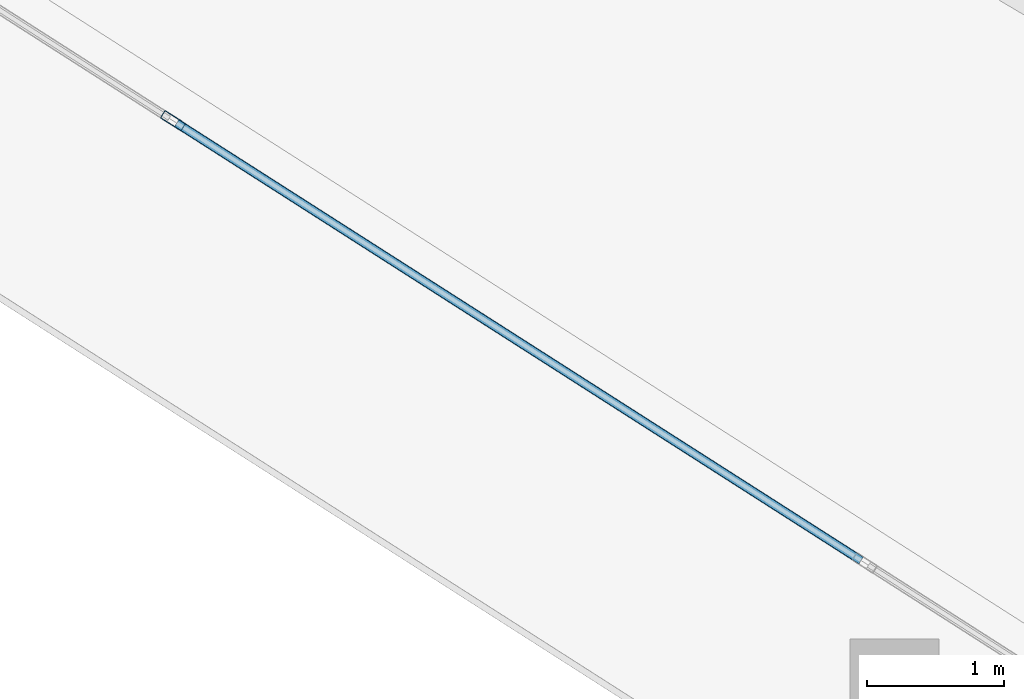
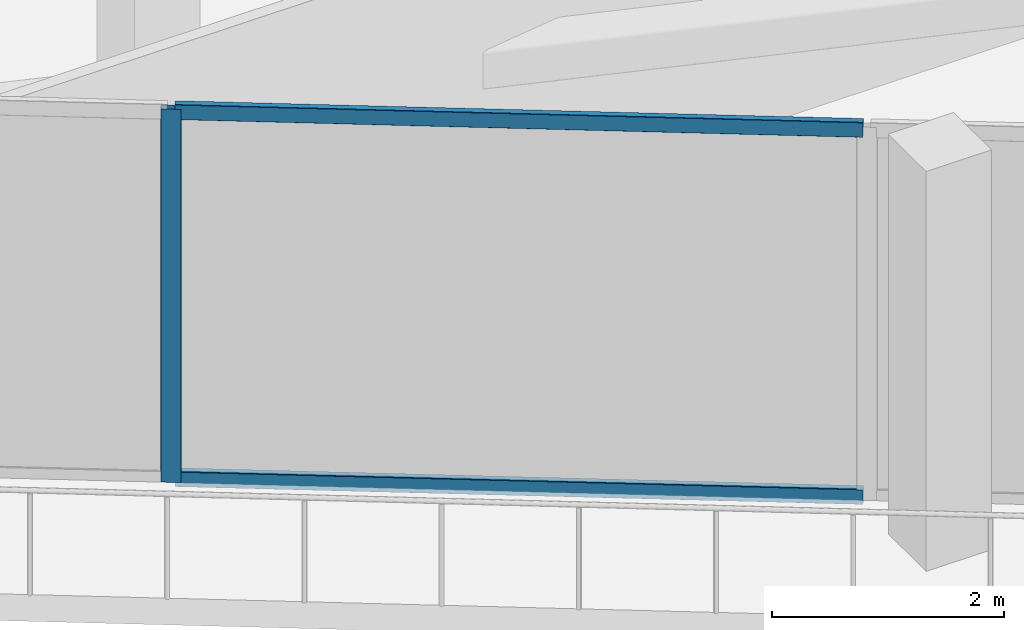
# One storey, part 3 of 43: 3 members, 1 element without a shape of its own.
"""IFC4 building model written with IfcOpenShell, lengths in metres."""

import ifcopenshell
import ifcopenshell.guid

model = None  # the IFC model being written
_history = None  # IfcOwnerHistory: only IFC2X3 demands one
_inside = {}  # id of a spatial element -> (the spatial element, [elements in it])
_under = {}  # id of a project, library or spatial element -> (it, [spatial elements below it])
_declared = {}  # id of a project -> (the project, [libraries it declares])
_typed = {}  # id of a type object -> (the type object, [elements of that type])
_made_of = {}  # id of a material, layer set ... -> (it, [elements and type objects made of it])


def new_model(schema):
    """Start an empty IFC model of exactly this schema.

    Asked for "IFC4X3", IfcOpenShell would pick the latest addendum, in which some entities
    have other attributes; the version numbers below select the first issue.
    IFC2X3 requires an IfcOwnerHistory on every rooted entity: one is made here for all.
    """
    global model, _history
    if schema == "IFC4X3":
        model = ifcopenshell.file(schema_version=(4, 3, 0, 0))
    else:
        model = ifcopenshell.file(schema=schema)
    _inside.clear()
    _under.clear()
    _declared.clear()
    _typed.clear()
    _made_of.clear()
    _history = None
    if model.schema == "IFC2X3":
        org = make("IfcOrganization", Name="unknown")
        user = make(
            "IfcPersonAndOrganization",
            ThePerson=make("IfcPerson", FamilyName="unknown"),
            TheOrganization=org,
        )
        app = make(
            "IfcApplication",
            ApplicationDeveloper=org,
            Version="unknown",
            ApplicationFullName="unknown",
            ApplicationIdentifier="unknown",
        )
        _history = make(
            "IfcOwnerHistory",
            OwningUser=user,
            OwningApplication=app,
            ChangeAction="ADDED",
            CreationDate=0,
        )
    return model


def make(cls, **values):
    """One entity of the class cls with the attributes given. An attribute that is None is left unset."""
    return model.create_entity(
        cls, **{name: value for name, value in values.items() if value is not None}
    )


def rooted(cls, **values):
    """An entity with a GlobalId (a new one), such as an element, a storey or a relation."""
    return make(cls, GlobalId=ifcopenshell.guid.new(), OwnerHistory=_history, **values)


def si_unit(unit_type, name, prefix=None):
    """IfcSIUnit, for example si_unit("LENGTHUNIT", "METRE", prefix="MILLI")."""
    return make("IfcSIUnit", UnitType=unit_type, Prefix=prefix, Name=name)


def assignment(units):
    """IfcUnitAssignment: the units of a project."""
    return None if units is None else make("IfcUnitAssignment", Units=units)


def point(xyz):
    """IfcCartesianPoint."""
    return None if xyz is None else make("IfcCartesianPoint", Coordinates=xyz)


def direction(xyz):
    """IfcDirection."""
    return None if xyz is None else make("IfcDirection", DirectionRatios=xyz)


def frame(location, z_axis=None, x_axis=None):
    """IfcAxis2Placement3D, a coordinate frame: its origin and axes. An axis left out is left unset."""
    return make(
        "IfcAxis2Placement3D",
        Location=point(location),
        Axis=direction(z_axis),
        RefDirection=direction(x_axis),
    )


def frame_2d(location, x_axis=None):
    """IfcAxis2Placement2D, a coordinate frame in the plane: its origin and x axis."""
    return make(
        "IfcAxis2Placement2D", Location=point(location), RefDirection=direction(x_axis)
    )


def origin():
    """The frame at (0, 0, 0) with its axes left unset."""
    return frame((0.0, 0.0, 0.0))


def origin_2d():
    """The frame at (0, 0) in the plane with its x axis left unset."""
    return frame_2d((0.0, 0.0))


def place(relative_to, where):
    """IfcLocalPlacement: puts the frame where relative to a parent placement (None: the world)."""
    return make(
        "IfcLocalPlacement", PlacementRelTo=relative_to, RelativePlacement=where
    )


def context(
    kind, dimensions, precision=None, world=None, true_north=None, identifier=None
):
    """IfcGeometricRepresentationContext, for example the 3D "Model" context."""
    return make(
        "IfcGeometricRepresentationContext",
        ContextIdentifier=identifier,
        ContextType=kind,
        CoordinateSpaceDimension=dimensions,
        Precision=precision,
        WorldCoordinateSystem=world,
        TrueNorth=true_north,
    )


def subcontext(parent, identifier, kind, view, scale=None):
    """IfcGeometricRepresentationSubContext, for example "Body" below "Model"."""
    return make(
        "IfcGeometricRepresentationSubContext",
        ContextIdentifier=identifier,
        ContextType=kind,
        ParentContext=parent,
        TargetScale=scale,
        TargetView=view,
    )


def project(units=None, contexts=None):
    """IfcProject with its units and contexts."""
    return rooted(
        "IfcProject",
        Name="project",
        RepresentationContexts=contexts,
        UnitsInContext=assignment(units),
    )


def spatial(cls, under=None, at=None, **own):
    """A site, building, storey or space (cls), placed at a placement, below another one or the project."""
    s = rooted(cls, ObjectPlacement=at, **own)
    if under is not None:
        _under.setdefault(under.id(), (under, []))[1].append(s)
    return s


def profile(cls, at=None, kind="AREA", **sizes):
    """A parametric profile (cls). Its sizes go by their IFC names, for example OverallWidth=200.0."""
    return make(cls, ProfileType=kind, Position=at, **sizes)


def hollow_rectangle(**sizes):
    """IfcRectangleHollowProfileDef."""
    return profile("IfcRectangleHollowProfileDef", **sizes)


def extrude(swept, where, along, depth):
    """IfcExtrudedAreaSolid: the profile swept, set in the frame where, extruded along a direction by depth."""
    return make(
        "IfcExtrudedAreaSolid",
        SweptArea=swept,
        Position=where,
        ExtrudedDirection=direction(along),
        Depth=depth,
    )


def shape(context_of_items, identifier, shape_type, items):
    """IfcShapeRepresentation: the items that make up one representation, for example the "Body"."""
    return make(
        "IfcShapeRepresentation",
        ContextOfItems=context_of_items,
        RepresentationIdentifier=identifier,
        RepresentationType=shape_type,
        Items=items,
    )


def material(Name=None, Category=None):
    """IfcMaterial."""
    return make("IfcMaterial", Name=Name, Category=Category)


def layer(
    of_material, thickness, ventilated=None, Name=None, Category=None, Priority=None
):
    """IfcMaterialLayer: one layer of a wall or slab, of a material (None: an air gap)."""
    return make(
        "IfcMaterialLayer",
        Material=of_material,
        LayerThickness=thickness,
        IsVentilated=ventilated,
        Name=Name,
        Category=Category,
        Priority=Priority,
    )


def layer_set(layers, Name=None):
    """IfcMaterialLayerSet."""
    return make("IfcMaterialLayerSet", MaterialLayers=layers, LayerSetName=Name)


def material_profile(
    of_material, cross_section, Name=None, Category=None, Priority=None
):
    """IfcMaterialProfile: a cross section and its material."""
    return make(
        "IfcMaterialProfile",
        Name=Name,
        Material=of_material,
        Profile=cross_section,
        Priority=Priority,
        Category=Category,
    )


def profile_set(profiles, Name=None, composite=None):
    """IfcMaterialProfileSet."""
    return make(
        "IfcMaterialProfileSet",
        Name=Name,
        MaterialProfiles=profiles,
        CompositeProfile=composite,
    )


def made_of(thing, what):
    """Note that an element or type object is made of a material, layer set ...; save() writes the relation."""
    if what is not None:
        _made_of.setdefault(what.id(), (what, []))[1].append(thing)
    return thing


def type_object(cls, material=None, **own):
    """A type object (cls), such as IfcWallType, which elements share."""
    return made_of(rooted(cls, **own), material)


def element(
    cls,
    number,
    at=None,
    inside=None,
    cuts=None,
    type_object=None,
    material=None,
    context=None,
    identifier="Body",
    shape_type=None,
    held_by="IfcProductDefinitionShape",
    body=None,
    shapes=None,
    **own,
):
    """One element of the class cls, such as IfcWall. Its Tag is "e" and its number.

    at: its placement. inside: the storey or other place that contains it. cuts: it is an
    opening in that element (IfcRelVoidsElement). A single representation is given by context,
    identifier, shape_type and body (its items); several are given by shapes. held_by: the class
    of the entity that holds the representations. save() writes the other relations.
    """
    e = rooted(cls, Tag="e%d" % number, ObjectPlacement=at, **own)
    if body is not None:
        shapes = [shape(context, identifier, shape_type, body)]
    if shapes is not None:
        e.Representation = make(held_by, Representations=shapes)
    if inside is not None:
        _inside.setdefault(inside.id(), (inside, []))[1].append(e)
    if cuts is not None:
        rooted(
            "IfcRelVoidsElement", RelatingBuildingElement=cuts, RelatedOpeningElement=e
        )
    if type_object is not None:
        _typed.setdefault(type_object.id(), (type_object, []))[1].append(e)
    return made_of(e, material)


def aggregate(whole, parts):
    """IfcRelAggregates: a whole, such as a stair, and the parts it consists of."""
    return rooted("IfcRelAggregates", RelatingObject=whole, RelatedObjects=parts)


def save(model, path):
    """Write the relations noted so far, then the file.

    IfcRelAggregates (storeys below a building ...), IfcRelContainedInSpatialStructure (elements
    in a storey), IfcRelDefinesByType, IfcRelAssociatesMaterial and IfcRelDeclares: one each for
    every whole, place, type object, material and project.
    """
    for whole, parts in _under.values():
        aggregate(whole, parts)
    for where, things in _inside.values():
        rooted(
            "IfcRelContainedInSpatialStructure",
            RelatedElements=things,
            RelatingStructure=where,
        )
    for kind, things in _typed.values():
        rooted("IfcRelDefinesByType", RelatedObjects=things, RelatingType=kind)
    for what, things in _made_of.values():
        rooted("IfcRelAssociatesMaterial", RelatedObjects=things, RelatingMaterial=what)
    for by, libraries in _declared.values():
        rooted("IfcRelDeclares", RelatingContext=by, RelatedDefinitions=libraries)
    model.write(path)


model = new_model("IFC4")

# Units and contexts
model_context = context("Model", 3, precision=1e-05, world=origin(), true_north=direction((0.0, 1.0)))
body_context = subcontext(model_context, "Body", "Model", "MODEL_VIEW")
ifc_project = project(units=[si_unit("LENGTHUNIT", "METRE"), si_unit("AREAUNIT", "SQUARE_METRE"), si_unit("VOLUMEUNIT", "CUBIC_METRE"), si_unit("PLANEANGLEUNIT", "RADIAN"), si_unit("MASSUNIT", "GRAM", prefix="KILO")], contexts=[model_context])

# Site, building, storey
site_placement = place(None, origin())
site = spatial("IfcSite", under=ifc_project, at=site_placement, CompositionType="ELEMENT")
building_placement = place(site_placement, origin())
building = spatial("IfcBuilding", under=site, at=building_placement, Name="Qorvath Tower", CompositionType="ELEMENT")
storey_placement = place(building_placement, frame((0.0, 0.0, 36.60009765625)))
storey = spatial("IfcBuildingStorey", under=building, at=storey_placement, Name="L07", CompositionType="ELEMENT", Elevation=36.60009765625)

# Curtain wall, members
ifc_material_1 = material(Name="Anodised aluminium and triple low-E glass", Category="aluminium")
ifc_layer = layer(ifc_material_1, 0.179931640625)
ifc_layer_set = layer_set([ifc_layer], Name="CW-SYS-2")
curtain_wall_type = type_object("IfcCurtainWallType", Name="CW-SYS-2", PredefinedType="NOTDEFINED", material=ifc_layer_set)
curtain_wall_placement = place(storey_placement, origin())
curtain_wall = element("IfcCurtainWall", 1, at=curtain_wall_placement, inside=storey, type_object=curtain_wall_type, Name="Curtain Wall CW-2 CW-T-L07-2.1", PredefinedType="NOTDEFINED")
ifc_material_2 = material(Name="Anodised aluminium 6063-T6", Category="aluminium")
ifc_material_profile_1 = material_profile(ifc_material_2, hollow_rectangle(XDim=0.06494140625, YDim=0.179931640625, WallThickness=0.00341796875, InnerFilletRadius=0.00341796875, OuterFilletRadius=0.007080078125, at=origin_2d()), Name="CWM 180x65")
ifc_profile_set_1 = profile_set([ifc_material_profile_1], Name="Anodised aluminium 6063-T6")
member_type_1 = type_object("IfcMemberType", Name="CWM-180", PredefinedType="MULLION", material=ifc_profile_set_1)
member_1_placement = place(storey_placement, frame((-50.80224609375, -10.66748046875, 0.0), z_axis=(0.0, 0.0, 1.0), x_axis=(0.538528741164, 0.84260714152, 0.0)))
member_1 = element("IfcMember", 2, at=member_1_placement, type_object=member_type_1, Name="CW-2 mullion 3", PredefinedType="MULLION", context=body_context, shape_type="SweptSolid", body=[
    extrude(hollow_rectangle(XDim=0.06494140625, YDim=0.179931640625, WallThickness=0.00341796875, InnerFilletRadius=0.00341796875, OuterFilletRadius=0.007080078125, at=origin_2d()), origin(), (0.0, 0.0, 1.0), 3.919921875),
])
ifc_material_3 = material(Name="Anodised aluminium 6063-T6", Category="aluminium")
ifc_material_profile_2 = material_profile(ifc_material_3, hollow_rectangle(XDim=0.06494140625, YDim=0.159912109375, WallThickness=0.00341796875, InnerFilletRadius=0.00341796875, OuterFilletRadius=0.007080078125, at=origin_2d()), Name="CWT 160x65")
ifc_profile_set_2 = profile_set([ifc_material_profile_2], Name="Anodised aluminium 6063-T6")
member_type_2 = type_object("IfcMemberType", Name="CWT-160", PredefinedType="USERDEFINED", material=ifc_profile_set_2)
member_2_placement = place(storey_placement, frame((-50.77490234375, -10.68505859375, 0.032470703125), z_axis=(0.842615282309, -0.538516003494, 0.0), x_axis=(0.538516003494, 0.842615282309, 0.0)))
member_2 = element("IfcMember", 3, at=member_2_placement, type_object=member_type_2, Name="CW-2 transom 3.1", ObjectType="TRANSOM", PredefinedType="USERDEFINED", context=body_context, shape_type="SweptSolid", body=[
    extrude(hollow_rectangle(XDim=0.06494140625, YDim=0.159912109375, WallThickness=0.00341796875, InnerFilletRadius=0.00341796875, OuterFilletRadius=0.007080078125, at=origin_2d()), origin(), (0.0, 0.0, 1.0), 5.92822265625),
])
member_3_placement = place(storey_placement, frame((-50.77490234375, -10.68505859375, 3.887451171875), z_axis=(0.842615282309, -0.538516003494, 0.0), x_axis=(0.538516003494, 0.842615282309, 0.0)))
member_3 = element("IfcMember", 4, at=member_3_placement, type_object=member_type_2, Name="CW-2 transom 3.2", ObjectType="TRANSOM", PredefinedType="USERDEFINED", context=body_context, shape_type="SweptSolid", body=[
    extrude(hollow_rectangle(XDim=0.06494140625, YDim=0.159912109375, WallThickness=0.00341796875, InnerFilletRadius=0.00341796875, OuterFilletRadius=0.007080078125, at=origin_2d()), origin(), (0.0, 0.0, 1.0), 5.92822265625),
])
aggregate(curtain_wall, [member_1, member_2, member_3])

save(model, "model.ifc")
